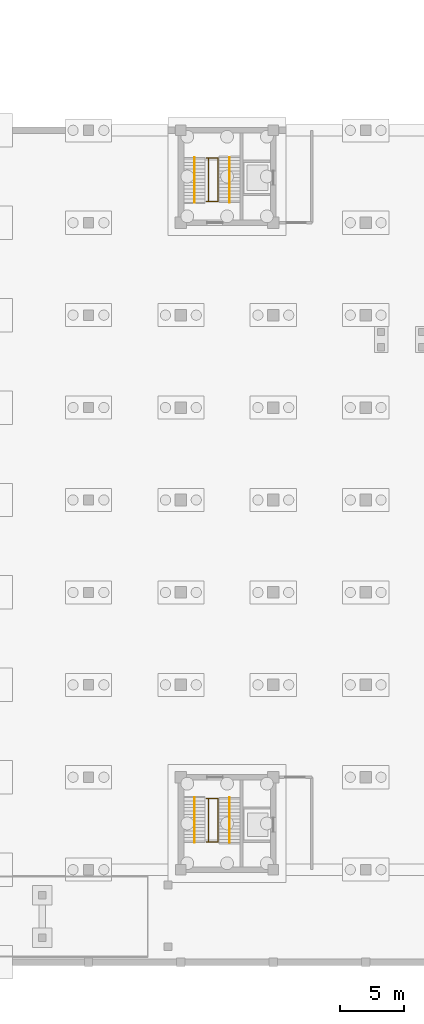
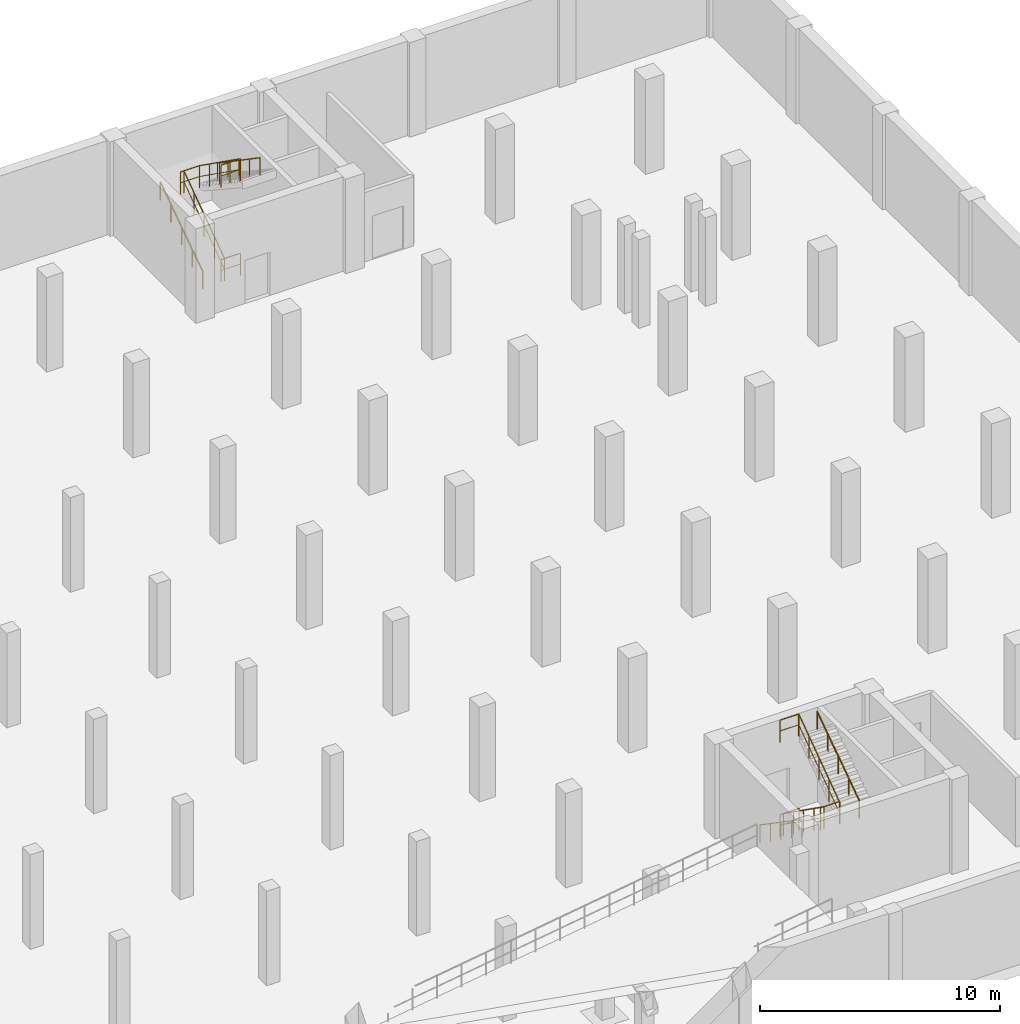
# One storey, part 18 of 19: 14 railings.
"""IFC4 building model written with IfcOpenShell, lengths in metres."""

import ifcopenshell
import ifcopenshell.guid

model = None  # the IFC model being written
_history = None  # IfcOwnerHistory: only IFC2X3 demands one
_inside = {}  # id of a spatial element -> (the spatial element, [elements in it])
_under = {}  # id of a project, library or spatial element -> (it, [spatial elements below it])
_declared = {}  # id of a project -> (the project, [libraries it declares])
_typed = {}  # id of a type object -> (the type object, [elements of that type])
_made_of = {}  # id of a material, layer set ... -> (it, [elements and type objects made of it])


def new_model(schema):
    """Start an empty IFC model of exactly this schema.

    Asked for "IFC4X3", IfcOpenShell would pick the latest addendum, in which some entities
    have other attributes; the version numbers below select the first issue.
    IFC2X3 requires an IfcOwnerHistory on every rooted entity: one is made here for all.
    """
    global model, _history
    if schema == "IFC4X3":
        model = ifcopenshell.file(schema_version=(4, 3, 0, 0))
    else:
        model = ifcopenshell.file(schema=schema)
    _inside.clear()
    _under.clear()
    _declared.clear()
    _typed.clear()
    _made_of.clear()
    _history = None
    if model.schema == "IFC2X3":
        org = make("IfcOrganization", Name="unknown")
        user = make(
            "IfcPersonAndOrganization",
            ThePerson=make("IfcPerson", FamilyName="unknown"),
            TheOrganization=org,
        )
        app = make(
            "IfcApplication",
            ApplicationDeveloper=org,
            Version="unknown",
            ApplicationFullName="unknown",
            ApplicationIdentifier="unknown",
        )
        _history = make(
            "IfcOwnerHistory",
            OwningUser=user,
            OwningApplication=app,
            ChangeAction="ADDED",
            CreationDate=0,
        )
    return model


def make(cls, **values):
    """One entity of the class cls with the attributes given. An attribute that is None is left unset."""
    return model.create_entity(
        cls, **{name: value for name, value in values.items() if value is not None}
    )


def rooted(cls, **values):
    """An entity with a GlobalId (a new one), such as an element, a storey or a relation."""
    return make(cls, GlobalId=ifcopenshell.guid.new(), OwnerHistory=_history, **values)


def si_unit(unit_type, name, prefix=None):
    """IfcSIUnit, for example si_unit("LENGTHUNIT", "METRE", prefix="MILLI")."""
    return make("IfcSIUnit", UnitType=unit_type, Prefix=prefix, Name=name)


def assignment(units):
    """IfcUnitAssignment: the units of a project."""
    return None if units is None else make("IfcUnitAssignment", Units=units)


def point(xyz):
    """IfcCartesianPoint."""
    return None if xyz is None else make("IfcCartesianPoint", Coordinates=xyz)


def direction(xyz):
    """IfcDirection."""
    return None if xyz is None else make("IfcDirection", DirectionRatios=xyz)


def frame(location, z_axis=None, x_axis=None):
    """IfcAxis2Placement3D, a coordinate frame: its origin and axes. An axis left out is left unset."""
    return make(
        "IfcAxis2Placement3D",
        Location=point(location),
        Axis=direction(z_axis),
        RefDirection=direction(x_axis),
    )


def frame_2d(location, x_axis=None):
    """IfcAxis2Placement2D, a coordinate frame in the plane: its origin and x axis."""
    return make(
        "IfcAxis2Placement2D", Location=point(location), RefDirection=direction(x_axis)
    )


def origin():
    """The frame at (0, 0, 0) with its axes left unset."""
    return frame((0.0, 0.0, 0.0))


def origin_2d():
    """The frame at (0, 0) in the plane with its x axis left unset."""
    return frame_2d((0.0, 0.0))


def place(relative_to, where):
    """IfcLocalPlacement: puts the frame where relative to a parent placement (None: the world)."""
    return make(
        "IfcLocalPlacement", PlacementRelTo=relative_to, RelativePlacement=where
    )


def context(
    kind, dimensions, precision=None, world=None, true_north=None, identifier=None
):
    """IfcGeometricRepresentationContext, for example the 3D "Model" context."""
    return make(
        "IfcGeometricRepresentationContext",
        ContextIdentifier=identifier,
        ContextType=kind,
        CoordinateSpaceDimension=dimensions,
        Precision=precision,
        WorldCoordinateSystem=world,
        TrueNorth=true_north,
    )


def subcontext(parent, identifier, kind, view, scale=None):
    """IfcGeometricRepresentationSubContext, for example "Body" below "Model"."""
    return make(
        "IfcGeometricRepresentationSubContext",
        ContextIdentifier=identifier,
        ContextType=kind,
        ParentContext=parent,
        TargetScale=scale,
        TargetView=view,
    )


def project(units=None, contexts=None):
    """IfcProject with its units and contexts."""
    return rooted(
        "IfcProject",
        Name="project",
        RepresentationContexts=contexts,
        UnitsInContext=assignment(units),
    )


def spatial(cls, under=None, at=None, **own):
    """A site, building, storey or space (cls), placed at a placement, below another one or the project."""
    s = rooted(cls, ObjectPlacement=at, **own)
    if under is not None:
        _under.setdefault(under.id(), (under, []))[1].append(s)
    return s


def profile(cls, at=None, kind="AREA", **sizes):
    """A parametric profile (cls). Its sizes go by their IFC names, for example OverallWidth=200.0."""
    return make(cls, ProfileType=kind, Position=at, **sizes)


def circle(**sizes):
    """IfcCircleProfileDef."""
    return profile("IfcCircleProfileDef", **sizes)


def extrude(swept, where, along, depth):
    """IfcExtrudedAreaSolid: the profile swept, set in the frame where, extruded along a direction by depth."""
    return make(
        "IfcExtrudedAreaSolid",
        SweptArea=swept,
        Position=where,
        ExtrudedDirection=direction(along),
        Depth=depth,
    )


def shape(context_of_items, identifier, shape_type, items):
    """IfcShapeRepresentation: the items that make up one representation, for example the "Body"."""
    return make(
        "IfcShapeRepresentation",
        ContextOfItems=context_of_items,
        RepresentationIdentifier=identifier,
        RepresentationType=shape_type,
        Items=items,
    )


def material(Name=None, Category=None):
    """IfcMaterial."""
    return make("IfcMaterial", Name=Name, Category=Category)


def made_of(thing, what):
    """Note that an element or type object is made of a material, layer set ...; save() writes the relation."""
    if what is not None:
        _made_of.setdefault(what.id(), (what, []))[1].append(thing)
    return thing


def type_object(cls, material=None, **own):
    """A type object (cls), such as IfcWallType, which elements share."""
    return made_of(rooted(cls, **own), material)


def element(
    cls,
    number,
    at=None,
    inside=None,
    cuts=None,
    type_object=None,
    material=None,
    context=None,
    identifier="Body",
    shape_type=None,
    held_by="IfcProductDefinitionShape",
    body=None,
    shapes=None,
    **own,
):
    """One element of the class cls, such as IfcWall. Its Tag is "e" and its number.

    at: its placement. inside: the storey or other place that contains it. cuts: it is an
    opening in that element (IfcRelVoidsElement). A single representation is given by context,
    identifier, shape_type and body (its items); several are given by shapes. held_by: the class
    of the entity that holds the representations. save() writes the other relations.
    """
    e = rooted(cls, Tag="e%d" % number, ObjectPlacement=at, **own)
    if body is not None:
        shapes = [shape(context, identifier, shape_type, body)]
    if shapes is not None:
        e.Representation = make(held_by, Representations=shapes)
    if inside is not None:
        _inside.setdefault(inside.id(), (inside, []))[1].append(e)
    if cuts is not None:
        rooted(
            "IfcRelVoidsElement", RelatingBuildingElement=cuts, RelatedOpeningElement=e
        )
    if type_object is not None:
        _typed.setdefault(type_object.id(), (type_object, []))[1].append(e)
    return made_of(e, material)


def aggregate(whole, parts):
    """IfcRelAggregates: a whole, such as a stair, and the parts it consists of."""
    return rooted("IfcRelAggregates", RelatingObject=whole, RelatedObjects=parts)


def save(model, path):
    """Write the relations noted so far, then the file.

    IfcRelAggregates (storeys below a building ...), IfcRelContainedInSpatialStructure (elements
    in a storey), IfcRelDefinesByType, IfcRelAssociatesMaterial and IfcRelDeclares: one each for
    every whole, place, type object, material and project.
    """
    for whole, parts in _under.values():
        aggregate(whole, parts)
    for where, things in _inside.values():
        rooted(
            "IfcRelContainedInSpatialStructure",
            RelatedElements=things,
            RelatingStructure=where,
        )
    for kind, things in _typed.values():
        rooted("IfcRelDefinesByType", RelatedObjects=things, RelatingType=kind)
    for what, things in _made_of.values():
        rooted("IfcRelAssociatesMaterial", RelatedObjects=things, RelatingMaterial=what)
    for by, libraries in _declared.values():
        rooted("IfcRelDeclares", RelatingContext=by, RelatedDefinitions=libraries)
    model.write(path)


model = new_model("IFC4")

# Units and contexts
model_context = context("Model", 3, precision=1e-05, world=origin(), true_north=direction((0.0, 1.0)))
body_context = subcontext(model_context, "Body", "Model", "MODEL_VIEW")
ifc_project = project(units=[si_unit("LENGTHUNIT", "METRE"), si_unit("AREAUNIT", "SQUARE_METRE"), si_unit("VOLUMEUNIT", "CUBIC_METRE"), si_unit("PLANEANGLEUNIT", "RADIAN"), si_unit("MASSUNIT", "GRAM", prefix="KILO")], contexts=[model_context])

# Site, building, storey
site_placement = place(None, origin())
site = spatial("IfcSite", under=ifc_project, at=site_placement, CompositionType="ELEMENT")
building_placement = place(site_placement, origin())
building = spatial("IfcBuilding", under=site, at=building_placement, Name="Qiaolan Assembly House", CompositionType="ELEMENT")
storey_placement = place(building_placement, frame((0.0, 0.0, -4.800048828125)))
storey = spatial("IfcBuildingStorey", under=building, at=storey_placement, Name="B1", CompositionType="ELEMENT", Elevation=-4.800048828125)

# Railings
ifc_material = material(Name="Anodised bronze aluminium", Category="aluminium")
railing_type_1 = type_object("IfcRailingType", Name="RAL-GUARD-STAIRWELL-1150", PredefinedType="GUARDRAIL", material=ifc_material)
railing_1_placement = place(storey_placement, frame((146.139892578125, 34.35009765625, 0.0)))
element("IfcRailing", 1, at=railing_1_placement, inside=storey, type_object=railing_type_1, Name="GR-01 stair inner-well guard FLT-CORE-E-B1-1", PredefinedType="GUARDRAIL", context=body_context, shape_type="SweptSolid", body=[
    extrude(circle(Radius=0.02392578125, at=origin_2d()), frame((0.0, 0.0, 1.1259765625), z_axis=(0.0, -0.815353794257, 0.578963030072), x_axis=(1.0, 0.0, 0.0)), (0.0, 0.0, 1.0), 4.1455078125),
    extrude(circle(Radius=0.01611328125, at=origin_2d()), frame((0.0, 0.0, 0.574951171875), z_axis=(0.0, -0.815353794257, 0.578963030072), x_axis=(1.0, 0.0, 0.0)), (0.0, 0.0, 1.0), 4.1455078125),
    extrude(circle(Radius=0.02099609375, at=origin_2d()), origin(), (0.0, 0.0, 1.0), 1.101806640625),
    extrude(circle(Radius=0.02099609375, at=origin_2d()), frame((0.0, -0.844970703125, 0.60009765625)), (0.0, 0.0, 1.0), 1.101806640625),
    extrude(circle(Radius=0.02099609375, at=origin_2d()), frame((0.0, -1.68994140625, 1.2001953125)), (0.0, 0.0, 1.0), 1.101806640625),
    extrude(circle(Radius=0.02099609375, at=origin_2d()), frame((0.0, -2.53515625, 1.800048828125)), (0.0, 0.0, 1.0), 1.101806640625),
    extrude(circle(Radius=0.02099609375, at=origin_2d()), frame((0.0, -3.380126953125, 2.400146484375)), (0.0, 0.0, 1.0), 1.101806640625),
])
railing_2_placement = place(storey_placement, frame((146.8798828125, 30.969970703125, 2.400146484375)))
element("IfcRailing", 2, at=railing_2_placement, inside=storey, type_object=railing_type_1, Name="GR-01 stair inner-well guard FLT-CORE-E-B1-2", PredefinedType="GUARDRAIL", context=body_context, shape_type="SweptSolid", body=[
    extrude(circle(Radius=0.02392578125, at=origin_2d()), frame((0.0, 0.0, 1.1259765625), z_axis=(0.0, 0.815381594603, 0.578923876847), x_axis=(-1.0, 0.0, 0.0)), (0.0, 0.0, 1.0), 4.1455078125),
    extrude(circle(Radius=0.01611328125, at=origin_2d()), frame((0.0, 0.0, 0.574951171875), z_axis=(0.0, 0.815381594603, 0.578923876847), x_axis=(-1.0, 0.0, 0.0)), (0.0, 0.0, 1.0), 4.1455078125),
    extrude(circle(Radius=0.02099609375, at=origin_2d()), origin(), (0.0, 0.0, 1.0), 1.101806640625),
    extrude(circle(Radius=0.02099609375, at=origin_2d()), frame((0.0, 0.844970703125, 0.60009765625)), (0.0, 0.0, 1.0), 1.101806640625),
    extrude(circle(Radius=0.02099609375, at=origin_2d()), frame((0.0, 1.68994140625, 1.199951171875)), (0.0, 0.0, 1.0), 1.101806640625),
    extrude(circle(Radius=0.02099609375, at=origin_2d()), frame((0.0, 2.53515625, 1.7998046875)), (0.0, 0.0, 1.0), 1.101806640625),
    extrude(circle(Radius=0.02099609375, at=origin_2d()), frame((0.0, 3.380126953125, 2.39990234375)), (0.0, 0.0, 1.0), 1.101806640625),
])
for number, where, name in (
    (3, (145.97998046875, 30.969970703125, 2.400146484375), "GR-01 stairwell landing guard CORE-E B1-1"),
    (4, (145.97998046875, 34.35009765625, 4.800048828125), "GR-01 stairwell landing guard CORE-E B1-2"),
    (5, (145.97998046875, 34.35009765625, 0.0), "GR-01 stairwell landing guard CORE-E B1-3"),
):
    element("IfcRailing", number, at=place(storey_placement, frame(where)), inside=storey, type_object=railing_type_1, Name=name, PredefinedType="GUARDRAIL", context=body_context, shape_type="SweptSolid", body=[
        extrude(circle(Radius=0.02392578125, at=origin_2d()), frame((0.0, 0.0, 1.1259765625), z_axis=(1.0, 0.0, 0.0), x_axis=(0.0, 1.0, 0.0)), (0.0, 0.0, 1.0), 0.919921875),
        extrude(circle(Radius=0.01611328125, at=origin_2d()), frame((0.0, 0.0, 0.574951171875), z_axis=(1.0, 0.0, 0.0), x_axis=(0.0, 1.0, 0.0)), (0.0, 0.0, 1.0), 0.919921875),
        extrude(circle(Radius=0.02099609375, at=origin_2d()), origin(), (0.0, 0.0, 1.0), 1.101806640625),
        extrude(circle(Radius=0.02099609375, at=origin_2d()), frame((0.919921875, 0.0, 0.0)), (0.0, 0.0, 1.0), 1.101806640625),
    ])
railing_3_placement = place(storey_placement, frame((146.139892578125, 80.85009765625, 0.0)))
element("IfcRailing", 6, at=railing_3_placement, inside=storey, type_object=railing_type_1, Name="GR-01 stair inner-well guard FLT-CORE-F-B1-1", PredefinedType="GUARDRAIL", context=body_context, shape_type="SweptSolid", body=[
    extrude(circle(Radius=0.02392578125, at=origin_2d()), frame((0.0, 0.0, 1.1259765625), z_axis=(0.0, 0.815334052488, 0.578990831408), x_axis=(-1.0, 0.0, 0.0)), (0.0, 0.0, 1.0), 4.1455078125),
    extrude(circle(Radius=0.01611328125, at=origin_2d()), frame((0.0, 0.0, 0.574951171875), z_axis=(0.0, 0.815334052488, 0.578990831408), x_axis=(-1.0, 0.0, 0.0)), (0.0, 0.0, 1.0), 4.1455078125),
    extrude(circle(Radius=0.02099609375, at=origin_2d()), origin(), (0.0, 0.0, 1.0), 1.101806640625),
    extrude(circle(Radius=0.02099609375, at=origin_2d()), frame((0.0, 0.844970703125, 0.60009765625)), (0.0, 0.0, 1.0), 1.101806640625),
    extrude(circle(Radius=0.02099609375, at=origin_2d()), frame((0.0, 1.68994140625, 1.2001953125)), (0.0, 0.0, 1.0), 1.101806640625),
    extrude(circle(Radius=0.02099609375, at=origin_2d()), frame((0.0, 2.534912109375, 1.800048828125)), (0.0, 0.0, 1.0), 1.101806640625),
    extrude(circle(Radius=0.02099609375, at=origin_2d()), frame((0.0, 3.3798828125, 2.400146484375)), (0.0, 0.0, 1.0), 1.101806640625),
])
railing_4_placement = place(storey_placement, frame((146.8798828125, 84.22998046875, 2.400146484375)))
element("IfcRailing", 7, at=railing_4_placement, inside=storey, type_object=railing_type_1, Name="GR-01 stair inner-well guard FLT-CORE-F-B1-2", PredefinedType="GUARDRAIL", context=body_context, shape_type="SweptSolid", body=[
    extrude(circle(Radius=0.02392578125, at=origin_2d()), frame((0.0, 0.0, 1.1259765625), z_axis=(0.0, -0.81536185483, 0.578951678198), x_axis=(1.0, 0.0, 0.0)), (0.0, 0.0, 1.0), 4.145263671875),
    extrude(circle(Radius=0.01611328125, at=origin_2d()), frame((0.0, 0.0, 0.574951171875), z_axis=(0.0, -0.81536185483, 0.578951678198), x_axis=(1.0, 0.0, 0.0)), (0.0, 0.0, 1.0), 4.145263671875),
    extrude(circle(Radius=0.02099609375, at=origin_2d()), origin(), (0.0, 0.0, 1.0), 1.101806640625),
    extrude(circle(Radius=0.02099609375, at=origin_2d()), frame((0.0, -0.844970703125, 0.60009765625)), (0.0, 0.0, 1.0), 1.101806640625),
    extrude(circle(Radius=0.02099609375, at=origin_2d()), frame((0.0, -1.68994140625, 1.199951171875)), (0.0, 0.0, 1.0), 1.101806640625),
    extrude(circle(Radius=0.02099609375, at=origin_2d()), frame((0.0, -2.534912109375, 1.7998046875)), (0.0, 0.0, 1.0), 1.101806640625),
    extrude(circle(Radius=0.02099609375, at=origin_2d()), frame((0.0, -3.3798828125, 2.39990234375)), (0.0, 0.0, 1.0), 1.101806640625),
])
for number, where, name in (
    (8, (145.97998046875, 84.22998046875, 2.400146484375), "GR-01 stairwell landing guard CORE-F B1-1"),
    (9, (145.97998046875, 80.85009765625, 4.800048828125), "GR-01 stairwell landing guard CORE-F B1-2"),
    (10, (145.97998046875, 80.85009765625, 0.0), "GR-01 stairwell landing guard CORE-F B1-3"),
):
    element("IfcRailing", number, at=place(storey_placement, frame(where)), inside=storey, type_object=railing_type_1, Name=name, PredefinedType="GUARDRAIL", context=body_context, shape_type="SweptSolid", body=[
        extrude(circle(Radius=0.02392578125, at=origin_2d()), frame((0.0, 0.0, 1.1259765625), z_axis=(1.0, 0.0, 0.0), x_axis=(0.0, 1.0, 0.0)), (0.0, 0.0, 1.0), 0.919921875),
        extrude(circle(Radius=0.01611328125, at=origin_2d()), frame((0.0, 0.0, 0.574951171875), z_axis=(1.0, 0.0, 0.0), x_axis=(0.0, 1.0, 0.0)), (0.0, 0.0, 1.0), 0.919921875),
        extrude(circle(Radius=0.02099609375, at=origin_2d()), origin(), (0.0, 0.0, 1.0), 1.101806640625),
        extrude(circle(Radius=0.02099609375, at=origin_2d()), frame((0.919921875, 0.0, 0.0)), (0.0, 0.0, 1.0), 1.101806640625),
    ])
railing_type_2 = type_object("IfcRailingType", Name="RAL-HANDRAIL-STAIR-920", PredefinedType="HANDRAIL", material=ifc_material)
railing_5_placement = place(storey_placement, frame((145.050048828125, 34.409912109375, 0.0)))
element("IfcRailing", 11, at=railing_5_placement, inside=storey, type_object=railing_type_2, Name="HR-01 stair handrail FLT-CORE-E-B1-1", PredefinedType="HANDRAIL", context=body_context, shape_type="SweptSolid", body=[
    extrude(circle(Radius=0.02392578125, at=origin_2d()), frame((0.0, 0.0, 0.89599609375), z_axis=(0.0, -0.824712752785, 0.565551832633), x_axis=(1.0, 0.0, 0.0)), (0.0, 0.0, 1.0), 4.243896484375),
    extrude(circle(Radius=0.02099609375, at=origin_2d()), origin(), (0.0, 0.0, 1.0), 0.871826171875),
    extrude(circle(Radius=0.02099609375, at=origin_2d()), frame((0.0, -0.875, 0.60009765625)), (0.0, 0.0, 1.0), 0.871826171875),
    extrude(circle(Radius=0.02099609375, at=origin_2d()), frame((0.0, -1.75, 1.2001953125)), (0.0, 0.0, 1.0), 0.871826171875),
    extrude(circle(Radius=0.02099609375, at=origin_2d()), frame((0.0, -2.625, 1.800048828125)), (0.0, 0.0, 1.0), 0.871826171875),
    extrude(circle(Radius=0.02099609375, at=origin_2d()), frame((0.0, -3.5, 2.400146484375)), (0.0, 0.0, 1.0), 0.871826171875),
])
railing_6_placement = place(storey_placement, frame((147.800048828125, 30.909912109375, 2.400146484375)))
element("IfcRailing", 12, at=railing_6_placement, inside=storey, type_object=railing_type_2, Name="HR-01 stair handrail FLT-CORE-E-B1-2", PredefinedType="HANDRAIL", context=body_context, shape_type="SweptSolid", body=[
    extrude(circle(Radius=0.02392578125, at=origin_2d()), frame((0.0, 0.0, 0.89599609375), z_axis=(0.0, 0.824739584531, 0.5655127034), x_axis=(-1.0, 0.0, 0.0)), (0.0, 0.0, 1.0), 4.24365234375),
    extrude(circle(Radius=0.02099609375, at=origin_2d()), origin(), (0.0, 0.0, 1.0), 0.871826171875),
    extrude(circle(Radius=0.02099609375, at=origin_2d()), frame((0.0, 0.875, 0.60009765625)), (0.0, 0.0, 1.0), 0.871826171875),
    extrude(circle(Radius=0.02099609375, at=origin_2d()), frame((0.0, 1.75, 1.199951171875)), (0.0, 0.0, 1.0), 0.871826171875),
    extrude(circle(Radius=0.02099609375, at=origin_2d()), frame((0.0, 2.625, 1.7998046875)), (0.0, 0.0, 1.0), 0.871826171875),
    extrude(circle(Radius=0.02099609375, at=origin_2d()), frame((0.0, 3.5, 2.39990234375)), (0.0, 0.0, 1.0), 0.871826171875),
])
railing_7_placement = place(storey_placement, frame((145.050048828125, 80.7900390625, 0.0)))
element("IfcRailing", 13, at=railing_7_placement, inside=storey, type_object=railing_type_2, Name="HR-01 stair handrail FLT-CORE-F-B1-1", PredefinedType="HANDRAIL", context=body_context, shape_type="SweptSolid", body=[
    extrude(circle(Radius=0.02392578125, at=origin_2d()), frame((0.0, 0.0, 0.89599609375), z_axis=(0.0, 0.824712752785, 0.565551832633), x_axis=(-1.0, 0.0, 0.0)), (0.0, 0.0, 1.0), 4.243896484375),
    extrude(circle(Radius=0.02099609375, at=origin_2d()), origin(), (0.0, 0.0, 1.0), 0.871826171875),
    extrude(circle(Radius=0.02099609375, at=origin_2d()), frame((0.0, 0.875, 0.60009765625)), (0.0, 0.0, 1.0), 0.871826171875),
    extrude(circle(Radius=0.02099609375, at=origin_2d()), frame((0.0, 1.75, 1.2001953125)), (0.0, 0.0, 1.0), 0.871826171875),
    extrude(circle(Radius=0.02099609375, at=origin_2d()), frame((0.0, 2.625, 1.800048828125)), (0.0, 0.0, 1.0), 0.871826171875),
    extrude(circle(Radius=0.02099609375, at=origin_2d()), frame((0.0, 3.5, 2.400146484375)), (0.0, 0.0, 1.0), 0.871826171875),
])
railing_8_placement = place(storey_placement, frame((147.800048828125, 84.2900390625, 2.400146484375)))
element("IfcRailing", 14, at=railing_8_placement, inside=storey, type_object=railing_type_2, Name="HR-01 stair handrail FLT-CORE-F-B1-2", PredefinedType="HANDRAIL", context=body_context, shape_type="SweptSolid", body=[
    extrude(circle(Radius=0.02392578125, at=origin_2d()), frame((0.0, 0.0, 0.89599609375), z_axis=(0.0, -0.824739584531, 0.5655127034), x_axis=(1.0, 0.0, 0.0)), (0.0, 0.0, 1.0), 4.24365234375),
    extrude(circle(Radius=0.02099609375, at=origin_2d()), origin(), (0.0, 0.0, 1.0), 0.871826171875),
    extrude(circle(Radius=0.02099609375, at=origin_2d()), frame((0.0, -0.875, 0.60009765625)), (0.0, 0.0, 1.0), 0.871826171875),
    extrude(circle(Radius=0.02099609375, at=origin_2d()), frame((0.0, -1.75, 1.199951171875)), (0.0, 0.0, 1.0), 0.871826171875),
    extrude(circle(Radius=0.02099609375, at=origin_2d()), frame((0.0, -2.625, 1.7998046875)), (0.0, 0.0, 1.0), 0.871826171875),
    extrude(circle(Radius=0.02099609375, at=origin_2d()), frame((0.0, -3.5, 2.39990234375)), (0.0, 0.0, 1.0), 0.871826171875),
])

save(model, "model.ifc")
